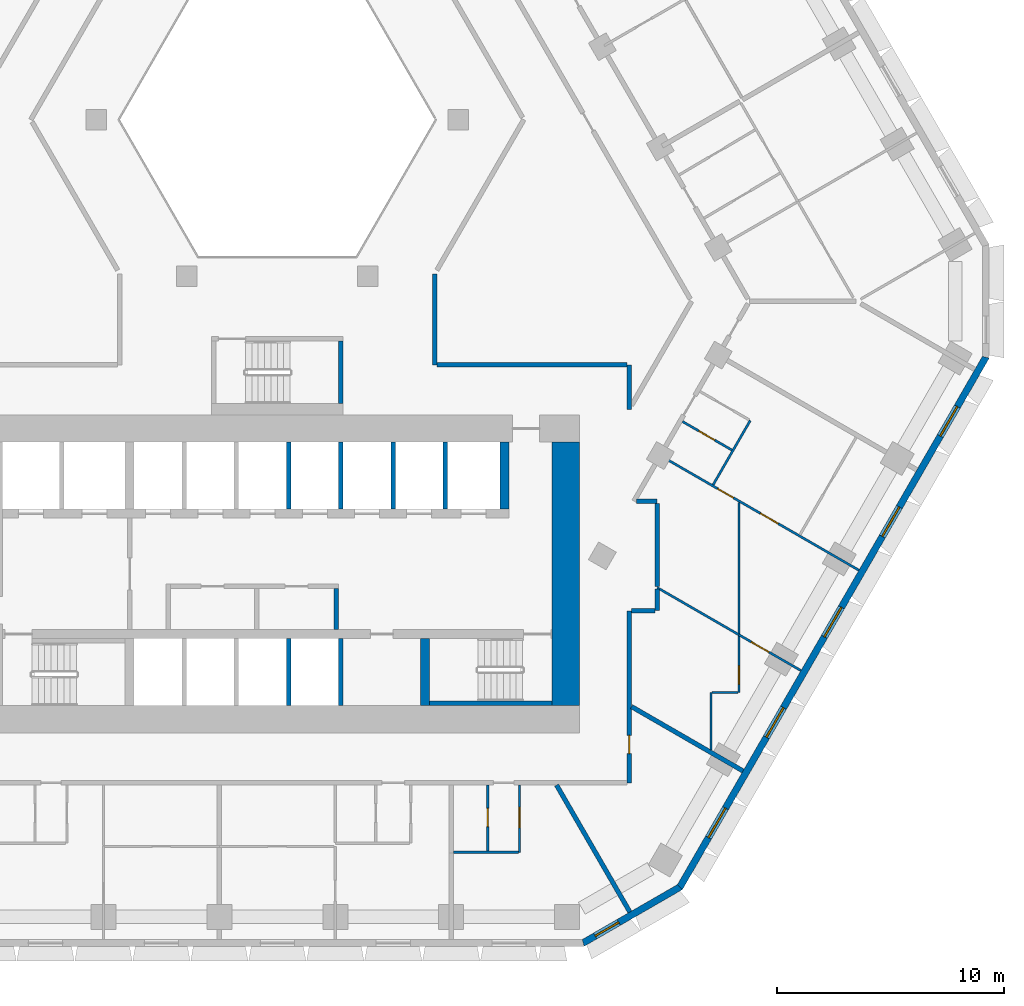
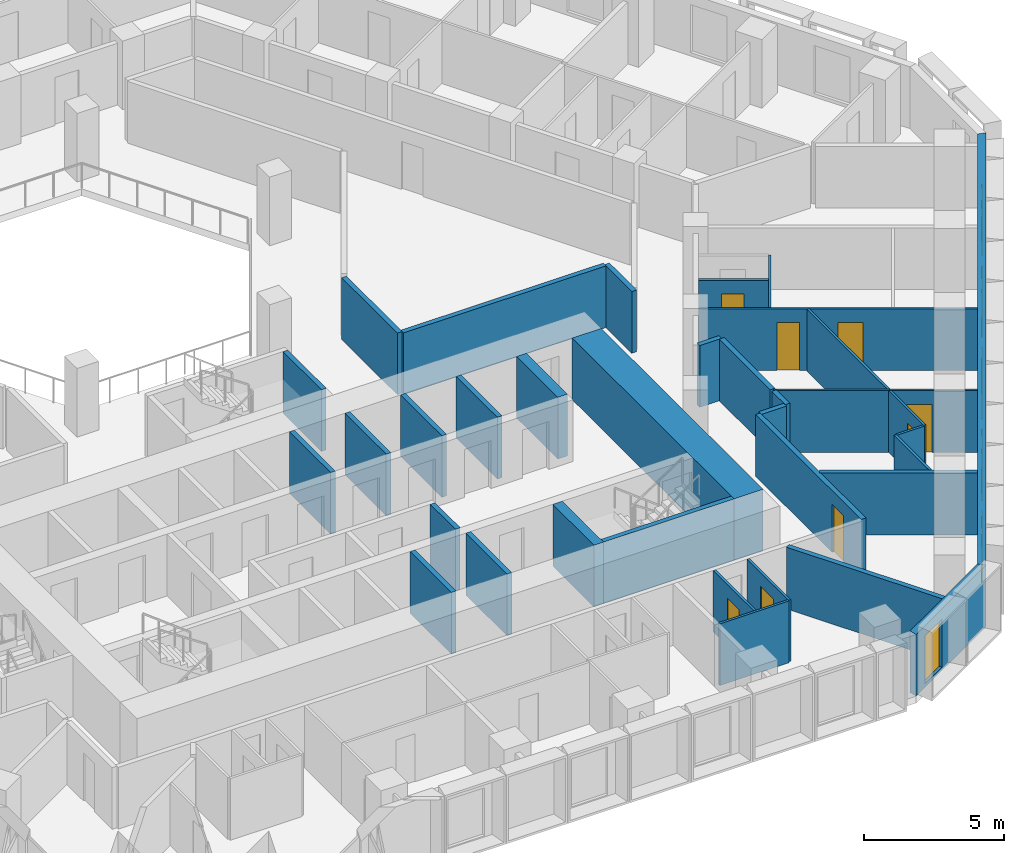
# One storey, part 6 of 16: 35 walls, 8 doors, 6 windows, 14 openings.
"""IFC4 building model written with IfcOpenShell, lengths in metres."""

from ifc_helpers import new_model, si_unit, direction, frame, frame_2d, origin, place, context, subcontext, project, spatial, polyline, rectangle, outline, extrude, material, layer, layer_set, type_object, element, fill, save


model = new_model("IFC4")

# Units and contexts
model_context = context("Model", 3, precision=1e-05, world=origin(), true_north=direction((0.0, 1.0)))
body_context = subcontext(model_context, "Body", "Model", "MODEL_VIEW")
ifc_project = project(units=[si_unit("LENGTHUNIT", "METRE"), si_unit("AREAUNIT", "SQUARE_METRE"), si_unit("VOLUMEUNIT", "CUBIC_METRE"), si_unit("PLANEANGLEUNIT", "RADIAN"), si_unit("MASSUNIT", "GRAM", prefix="KILO")], contexts=[model_context])

# Site, building, storey
site_placement = place(None, origin())
site = spatial("IfcSite", under=ifc_project, at=site_placement, CompositionType="ELEMENT")
building_placement = place(site_placement, origin())
building = spatial("IfcBuilding", under=site, at=building_placement, Name="Beryl Residences", CompositionType="ELEMENT")
storey_placement = place(building_placement, frame((0.0, 0.0, 44.39990234375)))
storey = spatial("IfcBuildingStorey", under=building, at=storey_placement, Name="L13", CompositionType="ELEMENT", Elevation=44.39990234375)

# Wall, opening, window
ifc_material_1 = material(Name="Composite metal panel with mineral wool insulation")
ifc_layer_1 = layer(ifc_material_1, 0.300048828125)
ifc_layer_set_1 = layer_set([ifc_layer_1], Name="ES1 pale metal composite panel wall 300 mm")
wall_type_1 = type_object("IfcWallType", Name="ES1 pale metal composite panel wall 300 mm", PredefinedType="SOLIDWALL", material=ifc_layer_set_1)
wall_1_placement = place(storey_placement, frame((13.43505859375, -28.27001953125, 0.0), z_axis=(0.0, 0.0, 1.0), x_axis=(0.866010750942, 0.50002537861, 0.0)))
wall_1 = element("IfcWall", 1, at=wall_1_placement, inside=storey, type_object=wall_type_1, Name="ES1 external wall L13 S-SE", PredefinedType="SOLIDWALL", context=body_context, shape_type="SweptSolid", body=[
    extrude(outline(polyline([(0.0, -0.14990234375), (4.999755859375, -0.14990234375), (4.91943359375, 0.14990234375), (0.080322265625, 0.14990234375), (0.0, -0.14990234375)])), origin(), (0.0, 0.0, 1.0), 2.7001953125),
])
opening_1_placement = place(wall_1_placement, frame((0.64990234375, 0.0, 0.14990234375)))
opening_1 = element("IfcOpeningElement", 2, at=opening_1_placement, cuts=wall_1, Name="Opening W2", PredefinedType="OPENING", context=body_context, shape_type="SweptSolid", body=[
    extrude(rectangle(XDim=1.199951171875, YDim=2.10009765625, at=frame_2d((0.60009765625, 1.050048828125))), frame((0.0, 0.159912109375, 0.0), z_axis=(0.0, -1.0, 0.0), x_axis=(1.0, 0.0, 0.0)), (0.0, 0.0, 1.0), 0.320068359375),
])
ifc_material_2 = material(Name="Aluminium and clear glass", Category="aluminium")
window_type_1 = type_object("IfcWindowType", Name="W2 chamfer window 1200 x 2100 mm", PartitioningType="SINGLE_PANEL", PredefinedType="WINDOW", material=ifc_material_2)
window_1_placement = place(opening_1_placement, origin())
window_1 = element("IfcWindow", 3, at=window_1_placement, inside=storey, type_object=window_type_1, Name="W2 window L13 S-SE 1", OverallHeight=2.10009765625, OverallWidth=1.199951171875, PartitioningType="SINGLE_PANEL", PredefinedType="WINDOW", context=body_context, shape_type="SweptSolid", body=[
    extrude(rectangle(XDim=1.199951171875, YDim=2.10009765625, at=frame_2d((0.60009765625, 1.050048828125))), frame((0.0, 0.030029296875, 0.0), z_axis=(0.0, -1.0, 0.0), x_axis=(1.0, 0.0, 0.0)), (0.0, 0.0, 1.0), 0.06005859375),
])
fill(opening_1, window_1)

# Wall, openings, windows
wall_2_placement = place(storey_placement, frame((17.7099609375, -25.824951171875, 0.0), z_axis=(0.0, 0.0, 1.0), x_axis=(0.500001938803, 0.866024284413, 0.0)))
wall_2 = element("IfcWall", 4, at=wall_2_placement, inside=storey, type_object=wall_type_1, Name="ES1 external wall L13 SE", PredefinedType="SOLIDWALL", context=body_context, shape_type="SweptSolid", body=[
    extrude(outline(polyline([(0.0, -0.14990234375), (27.02001953125, -0.14990234375), (26.939697265625, 0.14990234375), (0.080322265625, 0.14990234375), (0.0, -0.14990234375)])), origin(), (0.0, 0.0, 1.0), 2.7001953125),
])
opening_2_placement = place(wall_2_placement, frame((2.552978515625, 0.0, 0.14990234375)))
opening_2 = element("IfcOpeningElement", 5, at=opening_2_placement, cuts=wall_2, Name="Opening W1", PredefinedType="OPENING", context=body_context, shape_type="SweptSolid", body=[
    extrude(rectangle(XDim=1.5, YDim=2.10009765625, at=frame_2d((0.75, 1.050048828125))), frame((0.0, 0.159912109375, 0.0), z_axis=(0.0, -1.0, 0.0), x_axis=(1.0, 0.0, 0.0)), (0.0, 0.0, 1.0), 0.320068359375),
])
opening_3_placement = place(wall_2_placement, frame((7.657958984375, 0.0, 0.14990234375)))
opening_3 = element("IfcOpeningElement", 6, at=opening_3_placement, cuts=wall_2, Name="Opening W1", PredefinedType="OPENING", context=body_context, shape_type="SweptSolid", body=[
    extrude(rectangle(XDim=1.5, YDim=2.10009765625, at=frame_2d((0.75, 1.050048828125))), frame((0.0, 0.159912109375, 0.0), z_axis=(0.0, -1.0, 0.0), x_axis=(1.0, 0.0, 0.0)), (0.0, 0.0, 1.0), 0.320068359375),
])
opening_4_placement = place(wall_2_placement, frame((12.760986328125, 0.0, 0.14990234375)))
opening_4 = element("IfcOpeningElement", 7, at=opening_4_placement, cuts=wall_2, Name="Opening W1", PredefinedType="OPENING", context=body_context, shape_type="SweptSolid", body=[
    extrude(rectangle(XDim=1.5, YDim=2.10009765625, at=frame_2d((0.75, 1.050048828125))), frame((0.0, 0.159912109375, 0.0), z_axis=(0.0, -1.0, 0.0), x_axis=(1.0, 0.0, 0.0)), (0.0, 0.0, 1.0), 0.320068359375),
])
opening_5_placement = place(wall_2_placement, frame((17.864990234375, 0.0, 0.14990234375)))
opening_5 = element("IfcOpeningElement", 8, at=opening_5_placement, cuts=wall_2, Name="Opening W1", PredefinedType="OPENING", context=body_context, shape_type="SweptSolid", body=[
    extrude(rectangle(XDim=1.5, YDim=2.10009765625, at=frame_2d((0.75, 1.050048828125))), frame((0.0, 0.159912109375, 0.0), z_axis=(0.0, -1.0, 0.0), x_axis=(1.0, 0.0, 0.0)), (0.0, 0.0, 1.0), 0.320068359375),
])
opening_6_placement = place(wall_2_placement, frame((22.968994140625, 0.0, 0.14990234375)))
opening_6 = element("IfcOpeningElement", 9, at=opening_6_placement, cuts=wall_2, Name="Opening W1", PredefinedType="OPENING", context=body_context, shape_type="SweptSolid", body=[
    extrude(rectangle(XDim=1.5, YDim=2.10009765625, at=frame_2d((0.75, 1.050048828125))), frame((0.0, 0.159912109375, 0.0), z_axis=(0.0, -1.0, 0.0), x_axis=(1.0, 0.0, 0.0)), (0.0, 0.0, 1.0), 0.320068359375),
])
ifc_material_3 = material(Name="Aluminium and clear glass", Category="aluminium")
window_type_2 = type_object("IfcWindowType", Name="W1 cell window 1500 x 2100 mm", PartitioningType="SINGLE_PANEL", PredefinedType="WINDOW", material=ifc_material_3)
window_2_placement = place(opening_2_placement, origin())
window_2 = element("IfcWindow", 10, at=window_2_placement, inside=storey, type_object=window_type_2, Name="W1 window L13 SE 2", OverallHeight=2.10009765625, OverallWidth=1.5, PartitioningType="SINGLE_PANEL", PredefinedType="WINDOW", context=body_context, shape_type="SweptSolid", body=[
    extrude(rectangle(XDim=1.5, YDim=2.10009765625, at=frame_2d((0.75, 1.050048828125))), frame((0.0, 0.030029296875, 0.0), z_axis=(0.0, -1.0, 0.0), x_axis=(1.0, 0.0, 0.0)), (0.0, 0.0, 1.0), 0.06005859375),
])
fill(opening_2, window_2)
window_3_placement = place(opening_3_placement, origin())
window_3 = element("IfcWindow", 11, at=window_3_placement, inside=storey, type_object=window_type_2, Name="W1 window L13 SE 4", OverallHeight=2.10009765625, OverallWidth=1.5, PartitioningType="SINGLE_PANEL", PredefinedType="WINDOW", context=body_context, shape_type="SweptSolid", body=[
    extrude(rectangle(XDim=1.5, YDim=2.10009765625, at=frame_2d((0.75, 1.050048828125))), frame((0.0, 0.030029296875, 0.0), z_axis=(0.0, -1.0, 0.0), x_axis=(1.0, 0.0, 0.0)), (0.0, 0.0, 1.0), 0.06005859375),
])
fill(opening_3, window_3)
window_4_placement = place(opening_4_placement, origin())
window_4 = element("IfcWindow", 12, at=window_4_placement, inside=storey, type_object=window_type_2, Name="W1 window L13 SE 6", OverallHeight=2.10009765625, OverallWidth=1.5, PartitioningType="SINGLE_PANEL", PredefinedType="WINDOW", context=body_context, shape_type="SweptSolid", body=[
    extrude(rectangle(XDim=1.5, YDim=2.10009765625, at=frame_2d((0.75, 1.050048828125))), frame((0.0, 0.030029296875, 0.0), z_axis=(0.0, -1.0, 0.0), x_axis=(1.0, 0.0, 0.0)), (0.0, 0.0, 1.0), 0.06005859375),
])
fill(opening_4, window_4)
window_5_placement = place(opening_5_placement, origin())
window_5 = element("IfcWindow", 13, at=window_5_placement, inside=storey, type_object=window_type_2, Name="W1 window L13 SE 8", OverallHeight=2.10009765625, OverallWidth=1.5, PartitioningType="SINGLE_PANEL", PredefinedType="WINDOW", context=body_context, shape_type="SweptSolid", body=[
    extrude(rectangle(XDim=1.5, YDim=2.10009765625, at=frame_2d((0.75, 1.050048828125))), frame((0.0, 0.030029296875, 0.0), z_axis=(0.0, -1.0, 0.0), x_axis=(1.0, 0.0, 0.0)), (0.0, 0.0, 1.0), 0.06005859375),
])
fill(opening_5, window_5)
window_6_placement = place(opening_6_placement, origin())
window_6 = element("IfcWindow", 14, at=window_6_placement, inside=storey, type_object=window_type_2, Name="W1 window L13 SE 10", OverallHeight=2.10009765625, OverallWidth=1.5, PartitioningType="SINGLE_PANEL", PredefinedType="WINDOW", context=body_context, shape_type="SweptSolid", body=[
    extrude(rectangle(XDim=1.5, YDim=2.10009765625, at=frame_2d((0.75, 1.050048828125))), frame((0.0, 0.030029296875, 0.0), z_axis=(0.0, -1.0, 0.0), x_axis=(1.0, 0.0, 0.0)), (0.0, 0.0, 1.0), 0.06005859375),
])
fill(opening_6, window_6)

# Wall
ifc_material_4 = material(Name="Gypsum board partition on steel studs", Category="steel")
ifc_layer_2 = layer(ifc_material_4, 0.10009765625)
ifc_layer_set_2 = layer_set([ifc_layer_2], Name="PT1 partition 100 mm gypsum board on steel studs")
wall_type_2 = type_object("IfcWallType", Name="PT1 partition 100 mm gypsum board on steel studs", PredefinedType="PARTITIONING", material=ifc_layer_set_2)
wall_3_placement = place(storey_placement, frame((16.72802734375, -12.60302734375, 0.0), z_axis=(0.0, 0.0, 1.0), x_axis=(0.865975293465, -0.500086783578, 0.0)))
element("IfcWall", 15, at=wall_3_placement, inside=storey, type_object=wall_type_2, Name="Wall PT1 L13 016", PredefinedType="PARTITIONING", context=body_context, shape_type="SweptSolid", body=[
    extrude(rectangle(XDim=4.156982421875, YDim=0.10009765625, at=frame_2d((2.07861328125, 0.0))), origin(), (0.0, 0.0, 1.0), 2.7001953125),
])

# Wall, opening, door
wall_4_placement = place(storey_placement, frame((17.843994140625, -5.2919921875, 0.0), z_axis=(0.0, 0.0, 1.0), x_axis=(0.866038211682, -0.499977815414, 0.0)))
wall_4 = element("IfcWall", 16, at=wall_4_placement, inside=storey, type_object=wall_type_2, Name="Wall PT1 L13 018", PredefinedType="PARTITIONING", context=body_context, shape_type="SweptSolid", body=[
    extrude(rectangle(XDim=2.51025390625, YDim=0.10009765625, at=frame_2d((1.255126953125, 0.0))), origin(), (0.0, 0.0, 1.0), 2.7001953125),
])
opening_7_placement = place(wall_4_placement, frame((0.830078125, 0.0, 0.0)))
opening_7 = element("IfcOpeningElement", 17, at=opening_7_placement, cuts=wall_4, Name="Opening D0538", PredefinedType="OPENING", context=body_context, shape_type="SweptSolid", body=[
    extrude(rectangle(XDim=0.800048828125, YDim=2.10009765625, at=frame_2d((0.39990234375, 1.050048828125))), frame((0.0, 0.06005859375, 0.0), z_axis=(0.0, -1.0, 0.0), x_axis=(1.0, 0.0, 0.0)), (0.0, 0.0, 1.0), 0.1201171875),
])
ifc_material_5 = material(Name="Timber door leaf", Category="wood")
door_type_1 = type_object("IfcDoorType", Name="D3 bathroom door 800 x 2100 mm", OperationType="SINGLE_SWING_LEFT", PredefinedType="DOOR", material=ifc_material_5)
door_1_placement = place(opening_7_placement, origin())
door_1 = element("IfcDoor", 18, at=door_1_placement, inside=storey, type_object=door_type_1, Name="Door D0538 L13 001", OperationType="SINGLE_SWING_RIGHT", OverallHeight=2.10009765625, OverallWidth=0.800048828125, PredefinedType="DOOR", context=body_context, shape_type="SweptSolid", body=[
    extrude(rectangle(XDim=0.800048828125, YDim=2.10009765625, at=frame_2d((0.39990234375, 1.050048828125))), frame((0.0, 0.02490234375, 0.0), z_axis=(0.0, -1.0, 0.0), x_axis=(1.0, 0.0, 0.0)), (0.0, 0.0, 1.0), 0.050048828125),
])
fill(opening_7, door_1)

# Wall, openings, doors
wall_5_placement = place(storey_placement, frame((16.950927734375, -6.839111328125, 0.0), z_axis=(0.0, 0.0, 1.0), x_axis=(0.866022959057, -0.500004234368, 0.0)))
wall_5 = element("IfcWall", 19, at=wall_5_placement, inside=storey, type_object=wall_type_2, Name="Wall PT1 L13 024", PredefinedType="PARTITIONING", context=body_context, shape_type="SweptSolid", body=[
    extrude(rectangle(XDim=10.0, YDim=0.10009765625, at=frame_2d((5.0, 0.0))), origin(), (0.0, 0.0, 1.0), 2.7001953125),
])
opening_8_placement = place(wall_5_placement, frame((4.9951171875, 0.0, 0.0)))
opening_8 = element("IfcOpeningElement", 20, at=opening_8_placement, cuts=wall_5, Name="Opening D0540", PredefinedType="OPENING", context=body_context, shape_type="SweptSolid", body=[
    extrude(rectangle(XDim=0.89990234375, YDim=2.10009765625, at=frame_2d((0.449951171875, 1.050048828125))), frame((0.0, 0.06005859375, 0.0), z_axis=(0.0, -1.0, 0.0), x_axis=(1.0, 0.0, 0.0)), (0.0, 0.0, 1.0), 0.1201171875),
])
opening_9_placement = place(wall_5_placement, frame((2.820068359375, 0.0, 0.0)))
opening_9 = element("IfcOpeningElement", 21, at=opening_9_placement, cuts=wall_5, Name="Opening D0541", PredefinedType="OPENING", context=body_context, shape_type="SweptSolid", body=[
    extrude(rectangle(XDim=0.800048828125, YDim=2.10009765625, at=frame_2d((0.39990234375, 1.050048828125))), frame((0.0, 0.06005859375, 0.0), z_axis=(0.0, -1.0, 0.0), x_axis=(1.0, 0.0, 0.0)), (0.0, 0.0, 1.0), 0.1201171875),
])
ifc_material_6 = material(Name="Timber door leaf", Category="wood")
door_type_2 = type_object("IfcDoorType", Name="D2 room door 900 x 2100 mm", OperationType="SINGLE_SWING_LEFT", PredefinedType="DOOR", material=ifc_material_6)
door_2_placement = place(opening_8_placement, origin())
door_2 = element("IfcDoor", 22, at=door_2_placement, inside=storey, type_object=door_type_2, Name="Door D0540 L13 001", OperationType="SINGLE_SWING_RIGHT", OverallHeight=2.10009765625, OverallWidth=0.89990234375, PredefinedType="DOOR", context=body_context, shape_type="SweptSolid", body=[
    extrude(rectangle(XDim=0.89990234375, YDim=2.10009765625, at=frame_2d((0.449951171875, 1.050048828125))), frame((0.0, 0.02490234375, 0.0), z_axis=(0.0, -1.0, 0.0), x_axis=(1.0, 0.0, 0.0)), (0.0, 0.0, 1.0), 0.050048828125),
])
fill(opening_8, door_2)
door_3_placement = place(opening_9_placement, origin())
door_3 = element("IfcDoor", 23, at=door_3_placement, inside=storey, type_object=door_type_1, Name="Door D0541 L13 001", OperationType="SINGLE_SWING_LEFT", OverallHeight=2.10009765625, OverallWidth=0.800048828125, PredefinedType="DOOR", context=body_context, shape_type="SweptSolid", body=[
    extrude(rectangle(XDim=0.800048828125, YDim=2.10009765625, at=frame_2d((0.39990234375, 1.050048828125))), frame((0.0, 0.02490234375, 0.0), z_axis=(0.0, -1.0, 0.0), x_axis=(1.0, 0.0, 0.0)), (0.0, 0.0, 1.0), 0.050048828125),
])
fill(opening_9, door_3)

# Walls
wall_6_placement = place(storey_placement, frame((19.14990234375, -17.22412109375, 0.0), z_axis=(0.0, 0.0, 1.0), x_axis=(1.0, 0.0, 0.0)))
element("IfcWall", 24, at=wall_6_placement, inside=storey, type_object=wall_type_2, Name="Wall PT1 L13 027", PredefinedType="PARTITIONING", context=body_context, shape_type="SweptSolid", body=[
    extrude(rectangle(XDim=1.127197265625, YDim=0.10009765625, at=frame_2d((0.5634765625, 0.0))), origin(), (0.0, 0.0, 1.0), 2.7001953125),
])
wall_7_placement = place(storey_placement, frame((7.757080078125, -24.260009765625, 0.0), z_axis=(0.0, 0.0, 1.0), x_axis=(1.0, 0.0, 0.0)))
element("IfcWall", 25, at=wall_7_placement, inside=storey, type_object=wall_type_2, Name="Wall PT1 L13 031", PredefinedType="PARTITIONING", context=body_context, shape_type="SweptSolid", body=[
    extrude(rectangle(XDim=2.85791015625, YDim=0.10009765625, at=frame_2d((1.428955078125, 0.0))), origin(), (0.0, 0.0, 1.0), 2.7001953125),
])
wall_8_placement = place(storey_placement, frame((19.193115234375, -8.075927734375, 0.0), z_axis=(0.0, 0.0, 1.0), x_axis=(0.499901468276, 0.866082283629, 0.0)))
element("IfcWall", 26, at=wall_8_placement, inside=storey, type_object=wall_type_2, Name="Wall PT1 L13 036", PredefinedType="PARTITIONING", context=body_context, shape_type="SweptSolid", body=[
    extrude(rectangle(XDim=3.266357421875, YDim=0.10009765625, at=frame_2d((1.63330078125, 0.0))), origin(), (0.0, 0.0, 1.0), 2.7001953125),
])

# Wall, opening, door
wall_9_placement = place(storey_placement, frame((9.26611328125, -24.2099609375, 0.0), z_axis=(0.0, 0.0, 1.0), x_axis=(0.0, 1.0, 0.0)))
wall_9 = element("IfcWall", 27, at=wall_9_placement, inside=storey, type_object=wall_type_2, Name="Wall PT1 L13 044", PredefinedType="PARTITIONING", context=body_context, shape_type="SweptSolid", body=[
    extrude(rectangle(XDim=2.909912109375, YDim=0.10009765625, at=frame_2d((1.455078125, 0.0))), origin(), (0.0, 0.0, 1.0), 2.7001953125),
])
opening_10_placement = place(wall_9_placement, frame((1.080078125, 0.0, 0.0)))
opening_10 = element("IfcOpeningElement", 28, at=opening_10_placement, cuts=wall_9, Name="Opening D0534", PredefinedType="OPENING", context=body_context, shape_type="SweptSolid", body=[
    extrude(rectangle(XDim=0.800048828125, YDim=2.10009765625, at=frame_2d((0.39990234375, 1.050048828125))), frame((0.0, 0.06005859375, 0.0), z_axis=(0.0, -1.0, 0.0), x_axis=(1.0, 0.0, 0.0)), (0.0, 0.0, 1.0), 0.1201171875),
])
door_4_placement = place(opening_10_placement, origin())
door_4 = element("IfcDoor", 29, at=door_4_placement, inside=storey, type_object=door_type_1, Name="Door D0534 L13 001", OperationType="SINGLE_SWING_RIGHT", OverallHeight=2.10009765625, OverallWidth=0.800048828125, PredefinedType="DOOR", context=body_context, shape_type="SweptSolid", body=[
    extrude(rectangle(XDim=0.800048828125, YDim=2.10009765625, at=frame_2d((0.39990234375, 1.050048828125))), frame((0.0, 0.02490234375, 0.0), z_axis=(0.0, -1.0, 0.0), x_axis=(1.0, 0.0, 0.0)), (0.0, 0.0, 1.0), 0.050048828125),
])
fill(opening_10, door_4)

wall_10_placement = place(storey_placement, frame((10.666015625, -24.259033203125, 0.0), z_axis=(0.0, 0.0, 1.0), x_axis=(0.0, 1.0, 0.0)))
wall_10 = element("IfcWall", 30, at=wall_10_placement, inside=storey, type_object=wall_type_2, Name="Wall PT1 L13 045", PredefinedType="PARTITIONING", context=body_context, shape_type="SweptSolid", body=[
    extrude(rectangle(XDim=2.958984375, YDim=0.10009765625, at=frame_2d((1.4794921875, 0.0))), origin(), (0.0, 0.0, 1.0), 2.7001953125),
])
opening_11_placement = place(wall_10_placement, frame((1.0791015625, 0.0, 0.0)))
opening_11 = element("IfcOpeningElement", 31, at=opening_11_placement, cuts=wall_10, Name="Opening D0533", PredefinedType="OPENING", context=body_context, shape_type="SweptSolid", body=[
    extrude(rectangle(XDim=0.89990234375, YDim=2.10009765625, at=frame_2d((0.449951171875, 1.050048828125))), frame((0.0, 0.06005859375, 0.0), z_axis=(0.0, -1.0, 0.0), x_axis=(1.0, 0.0, 0.0)), (0.0, 0.0, 1.0), 0.1201171875),
])
door_5_placement = place(opening_11_placement, origin())
door_5 = element("IfcDoor", 32, at=door_5_placement, inside=storey, type_object=door_type_2, Name="Door D0533 L13 001", OperationType="SINGLE_SWING_LEFT", OverallHeight=2.10009765625, OverallWidth=0.89990234375, PredefinedType="DOOR", context=body_context, shape_type="SweptSolid", body=[
    extrude(rectangle(XDim=0.89990234375, YDim=2.10009765625, at=frame_2d((0.449951171875, 1.050048828125))), frame((0.0, 0.02490234375, 0.0), z_axis=(0.0, -1.0, 0.0), x_axis=(1.0, 0.0, 0.0)), (0.0, 0.0, 1.0), 0.050048828125),
])
fill(opening_11, door_5)

# Wall
wall_11_placement = place(storey_placement, frame((19.10009765625, -19.7509765625, 0.0), z_axis=(0.0, 0.0, 1.0), x_axis=(0.0, 1.0, 0.0)))
element("IfcWall", 33, at=wall_11_placement, inside=storey, type_object=wall_type_2, Name="Wall PT1 L13 046", PredefinedType="PARTITIONING", context=body_context, shape_type="SweptSolid", body=[
    extrude(rectangle(XDim=2.52685546875, YDim=0.10009765625, at=frame_2d((1.263427734375, 0.0))), origin(), (0.0, 0.0, 1.0), 2.7001953125),
])

# Wall, opening, door
wall_12_placement = place(storey_placement, frame((20.327880859375, -17.222900390625, 0.0), z_axis=(0.0, 0.0, 1.0), x_axis=(0.0, 1.0, 0.0)))
wall_12 = element("IfcWall", 34, at=wall_12_placement, inside=storey, type_object=wall_type_2, Name="Wall PT1 L13 047", PredefinedType="PARTITIONING", context=body_context, shape_type="SweptSolid", body=[
    extrude(rectangle(XDim=8.3759765625, YDim=0.10009765625, at=frame_2d((4.18798828125, 0.0))), origin(), (0.0, 0.0, 1.0), 2.7001953125),
])
opening_12_placement = place(wall_12_placement, frame((0.3701171875, 0.0, 0.0)))
opening_12 = element("IfcOpeningElement", 35, at=opening_12_placement, cuts=wall_12, Name="Opening D0543", PredefinedType="OPENING", context=body_context, shape_type="SweptSolid", body=[
    extrude(rectangle(XDim=0.800048828125, YDim=2.10009765625, at=frame_2d((0.39990234375, 1.050048828125))), frame((0.0, 0.06005859375, 0.0), z_axis=(0.0, -1.0, 0.0), x_axis=(1.0, 0.0, 0.0)), (0.0, 0.0, 1.0), 0.1201171875),
])
door_6_placement = place(opening_12_placement, origin())
door_6 = element("IfcDoor", 36, at=door_6_placement, inside=storey, type_object=door_type_1, Name="Door D0543 L13 001", OperationType="SINGLE_SWING_LEFT", OverallHeight=2.10009765625, OverallWidth=0.800048828125, PredefinedType="DOOR", context=body_context, shape_type="SweptSolid", body=[
    extrude(rectangle(XDim=0.800048828125, YDim=2.10009765625, at=frame_2d((0.39990234375, 1.050048828125))), frame((0.0, 0.02490234375, 0.0), z_axis=(0.0, -1.0, 0.0), x_axis=(1.0, 0.0, 0.0)), (0.0, 0.0, 1.0), 0.050048828125),
])
fill(opening_12, door_6)

wall_13_placement = place(storey_placement, frame((20.327880859375, -14.681884765625, 0.0), z_axis=(0.0, 0.0, 1.0), x_axis=(0.866063163075, -0.499934593286, 0.0)))
wall_13 = element("IfcWall", 37, at=wall_13_placement, inside=storey, type_object=wall_type_2, Name="Wall PT1 L13 072", PredefinedType="PARTITIONING", context=body_context, shape_type="SweptSolid", body=[
    extrude(rectangle(XDim=3.15478515625, YDim=0.10009765625, at=frame_2d((1.577392578125, 0.0))), origin(), (0.0, 0.0, 1.0), 2.7001953125),
])
opening_13_placement = place(wall_13_placement, frame((0.626953125, 0.0, 0.0)))
opening_13 = element("IfcOpeningElement", 38, at=opening_13_placement, cuts=wall_13, Name="Opening D0542", PredefinedType="OPENING", context=body_context, shape_type="SweptSolid", body=[
    extrude(rectangle(XDim=0.89990234375, YDim=2.10009765625, at=frame_2d((0.449951171875, 1.050048828125))), frame((0.0, 0.06005859375, 0.0), z_axis=(0.0, -1.0, 0.0), x_axis=(1.0, 0.0, 0.0)), (0.0, 0.0, 1.0), 0.1201171875),
])
door_7_placement = place(opening_13_placement, origin())
door_7 = element("IfcDoor", 39, at=door_7_placement, inside=storey, type_object=door_type_2, Name="Door D0542 L13 001", OperationType="SINGLE_SWING_RIGHT", OverallHeight=2.10009765625, OverallWidth=0.89990234375, PredefinedType="DOOR", context=body_context, shape_type="SweptSolid", body=[
    extrude(rectangle(XDim=0.89990234375, YDim=2.10009765625, at=frame_2d((0.449951171875, 1.050048828125))), frame((0.0, 0.02490234375, 0.0), z_axis=(0.0, -1.0, 0.0), x_axis=(1.0, 0.0, 0.0)), (0.0, 0.0, 1.0), 0.050048828125),
])
fill(opening_13, door_7)

# Walls
ifc_material_7 = material(Name="Concrete masonry", Category="masonry")
ifc_layer_3 = layer(ifc_material_7, 0.199951171875)
ifc_layer_set_3 = layer_set([ifc_layer_3], Name="PT13 lobby wall 200 mm")
wall_type_3 = type_object("IfcWallType", Name="PT13 lobby wall 200 mm", PredefinedType="PARTITIONING", material=ifc_layer_set_3)
wall_14_placement = place(storey_placement, frame((2.60009765625, -14.449951171875, 0.0), z_axis=(0.0, 0.0, 1.0), x_axis=(0.0, 1.0, 0.0)))
element("IfcWall", 40, at=wall_14_placement, inside=storey, type_object=wall_type_3, Name="Lobby wall 16", PredefinedType="PARTITIONING", context=body_context, shape_type="SweptSolid", body=[
    extrude(rectangle(XDim=1.800048828125, YDim=0.199951171875, at=frame_2d((0.89990234375, 0.0))), origin(), (0.0, 0.0, 1.0), 2.7001953125),
])
ifc_material_8 = material(Name="Acoustic double stud gypsum board wall")
ifc_layer_4 = layer(ifc_material_8, 0.199951171875)
ifc_layer_set_4 = layer_set([ifc_layer_4], Name="PT3 party wall 200 mm acoustic double stud")
wall_type_4 = type_object("IfcWallType", Name="PT3 party wall 200 mm acoustic double stud", PredefinedType="PARTITIONING", material=ifc_layer_set_4)
wall_15_placement = place(storey_placement, frame((12.297119140625, -21.300048828125, 0.0), z_axis=(0.0, 0.0, 1.0), x_axis=(0.500056399578, -0.865992839024, 0.0)))
element("IfcWall", 41, at=wall_15_placement, inside=storey, type_object=wall_type_4, Name="Wall PT3 L13 002", PredefinedType="PARTITIONING", context=body_context, shape_type="SweptSolid", body=[
    extrude(rectangle(XDim=6.454833984375, YDim=0.199951171875, at=frame_2d((3.2275390625, 0.0))), origin(), (0.0, 0.0, 1.0), 2.7001953125),
])
wall_16_placement = place(storey_placement, frame((15.60009765625, -17.845947265625, 0.0), z_axis=(0.0, 0.0, 1.0), x_axis=(0.866071523686, -0.499920109479, 0.0)))
element("IfcWall", 42, at=wall_16_placement, inside=storey, type_object=wall_type_4, Name="Wall PT3 L13 004", PredefinedType="PARTITIONING", context=body_context, shape_type="SweptSolid", body=[
    extrude(rectangle(XDim=5.6669921875, YDim=0.199951171875, at=frame_2d((2.83349609375, 0.0))), origin(), (0.0, 0.0, 1.0), 2.7001953125),
])
ifc_material_9 = material(Name="Double stud gypsum board wall")
ifc_layer_5 = layer(ifc_material_9, 0.199951171875)
ifc_layer_set_5 = layer_set([ifc_layer_5], Name="PT4 corridor wall 200 mm double stud")
wall_type_5 = type_object("IfcWallType", Name="PT4 corridor wall 200 mm double stud", PredefinedType="PARTITIONING", material=ifc_layer_set_5)
wall_17_placement = place(storey_placement, frame((16.72802734375, -8.89501953125, 0.0), z_axis=(0.0, 0.0, 1.0), x_axis=(0.0, -1.0, 0.0)))
element("IfcWall", 43, at=wall_17_placement, inside=storey, type_object=wall_type_5, Name="Wall PT4 L13 009", PredefinedType="PARTITIONING", context=body_context, shape_type="SweptSolid", body=[
    extrude(rectangle(XDim=3.64990234375, YDim=0.199951171875, at=frame_2d((1.824951171875, 0.0))), origin(), (0.0, 0.0, 1.0), 2.7001953125),
])
wall_18_placement = place(storey_placement, frame((15.822021484375, -8.7939453125, 0.0), z_axis=(0.0, 0.0, 1.0), x_axis=(1.0, 0.0, 0.0)))
element("IfcWall", 44, at=wall_18_placement, inside=storey, type_object=wall_type_5, Name="Wall PT4 L13 011", PredefinedType="PARTITIONING", context=body_context, shape_type="SweptSolid", body=[
    extrude(rectangle(XDim=0.905029296875, YDim=0.199951171875, at=frame_2d((0.45263671875, 0.0))), origin(), (0.0, 0.0, 1.0), 2.7001953125),
])
wall_19_placement = place(storey_placement, frame((15.60009765625, -13.6240234375, 0.0), z_axis=(0.0, 0.0, 1.0), x_axis=(1.0, 0.0, 0.0)))
element("IfcWall", 45, at=wall_19_placement, inside=storey, type_object=wall_type_5, Name="Wall PT4 L13 012", PredefinedType="PARTITIONING", context=body_context, shape_type="SweptSolid", body=[
    extrude(rectangle(XDim=1.02685546875, YDim=0.199951171875, at=frame_2d((0.513427734375, 0.0))), origin(), (0.0, 0.0, 1.0), 2.7001953125),
])
wall_20_placement = place(storey_placement, frame((7.028076171875, -2.800048828125, 0.0), z_axis=(0.0, 0.0, 1.0), x_axis=(1.0, 0.0, 0.0)))
element("IfcWall", 46, at=wall_20_placement, inside=storey, type_object=wall_type_5, Name="Wall PT4 L13 016", PredefinedType="PARTITIONING", context=body_context, shape_type="SweptSolid", body=[
    extrude(rectangle(XDim=8.371826171875, YDim=0.199951171875, at=frame_2d((4.18603515625, 0.0))), origin(), (0.0, 0.0, 1.0), 2.7001953125),
])
wall_21_placement = place(storey_placement, frame((6.927978515625, -2.800048828125, 0.0), z_axis=(0.0, 0.0, 1.0), x_axis=(0.0, 1.0, 0.0)))
element("IfcWall", 47, at=wall_21_placement, inside=storey, type_object=wall_type_5, Name="Wall PT4 L13 026", PredefinedType="PARTITIONING", context=body_context, shape_type="SweptSolid", body=[
    extrude(rectangle(XDim=4.0, YDim=0.199951171875, at=frame_2d((2.0, 0.0))), origin(), (0.0, 0.0, 1.0), 2.7001953125),
])

# Wall, opening, door
wall_22_placement = place(storey_placement, frame((15.5, -21.198974609375, 0.0), z_axis=(0.0, 0.0, 1.0), x_axis=(0.0, 1.0, 0.0)))
wall_22 = element("IfcWall", 48, at=wall_22_placement, inside=storey, type_object=wall_type_5, Name="Wall PT4 L13 027", PredefinedType="PARTITIONING", context=body_context, shape_type="SweptSolid", body=[
    extrude(rectangle(XDim=7.574951171875, YDim=0.199951171875, at=frame_2d((3.78759765625, 0.0))), origin(), (0.0, 0.0, 1.0), 2.7001953125),
])
opening_14_placement = place(wall_22_placement, frame((1.2880859375, 0.0, 0.0)))
opening_14 = element("IfcOpeningElement", 49, at=opening_14_placement, cuts=wall_22, Name="Opening D0535", PredefinedType="OPENING", context=body_context, shape_type="SweptSolid", body=[
    extrude(rectangle(XDim=0.800048828125, YDim=2.10009765625, at=frame_2d((0.39990234375, 1.050048828125))), frame((0.0, 0.10986328125, 0.0), z_axis=(0.0, -1.0, 0.0), x_axis=(1.0, 0.0, 0.0)), (0.0, 0.0, 1.0), 0.219970703125),
])
door_8_placement = place(opening_14_placement, origin())
door_8 = element("IfcDoor", 50, at=door_8_placement, inside=storey, type_object=door_type_1, Name="Door D0535 L13 001", OperationType="SINGLE_SWING_LEFT", OverallHeight=2.10009765625, OverallWidth=0.800048828125, PredefinedType="DOOR", context=body_context, shape_type="SweptSolid", body=[
    extrude(rectangle(XDim=0.800048828125, YDim=2.10009765625, at=frame_2d((0.39990234375, 1.050048828125))), frame((0.0, 0.02490234375, 0.0), z_axis=(0.0, -1.0, 0.0), x_axis=(1.0, 0.0, 0.0)), (0.0, 0.0, 1.0), 0.050048828125),
])
fill(opening_14, door_8)

# Walls
wall_23_placement = place(storey_placement, frame((15.5, -4.751953125, 0.0), z_axis=(0.0, 0.0, 1.0), x_axis=(0.0, 1.0, 0.0)))
element("IfcWall", 51, at=wall_23_placement, inside=storey, type_object=wall_type_5, Name="Wall PT4 L13 028", PredefinedType="PARTITIONING", context=body_context, shape_type="SweptSolid", body=[
    extrude(rectangle(XDim=1.951904296875, YDim=0.199951171875, at=frame_2d((0.97607421875, 0.0))), origin(), (0.0, 0.0, 1.0), 2.7001953125),
])
wall_24_placement = place(storey_placement, frame((16.72802734375, -13.623046875, 0.0), z_axis=(0.0, 0.0, 1.0), x_axis=(0.0, 1.0, 0.0)))
element("IfcWall", 52, at=wall_24_placement, inside=storey, type_object=wall_type_5, Name="Wall PT4 L13 029", PredefinedType="PARTITIONING", context=body_context, shape_type="SweptSolid", body=[
    extrude(rectangle(XDim=0.962158203125, YDim=0.199951171875, at=frame_2d((0.48095703125, 0.0))), origin(), (0.0, 0.0, 1.0), 2.7001953125),
])
ifc_material_10 = material(Name="Concrete C40/50", Category="concrete")
ifc_layer_6 = layer(ifc_material_10, 0.199951171875)
ifc_layer_set_6 = layer_set([ifc_layer_6], Name="PT5 stair enclosure wall 200 mm reinforced concrete C40/50")
wall_type_6 = type_object("IfcWallType", Name="PT5 stair enclosure wall 200 mm reinforced concrete C40/50", PredefinedType="SOLIDWALL", material=ifc_layer_set_6)
wall_25_placement = place(storey_placement, frame((2.800048828125, -4.5, 0.0), z_axis=(0.0, 0.0, 1.0), x_axis=(0.0, 1.0, 0.0)))
element("IfcWall", 53, at=wall_25_placement, inside=storey, type_object=wall_type_6, Name="Wall PT5 L13 003", PredefinedType="SOLIDWALL", context=body_context, shape_type="SweptSolid", body=[
    extrude(rectangle(XDim=2.75, YDim=0.199951171875, at=frame_2d((1.375, 0.0))), origin(), (0.0, 0.0, 1.0), 2.7001953125),
])
wall_26_placement = place(storey_placement, frame((6.699951171875, -17.699951171875, 0.0), z_axis=(0.0, 0.0, 1.0), x_axis=(1.0, 0.0, 0.0)))
element("IfcWall", 54, at=wall_26_placement, inside=storey, type_object=wall_type_6, Name="Stair wall 20", PredefinedType="SOLIDWALL", context=body_context, shape_type="SweptSolid", body=[
    extrude(rectangle(XDim=5.400146484375, YDim=0.199951171875, at=frame_2d((2.7001953125, 0.0))), origin(), (0.0, 0.0, 1.0), 2.7001953125),
])
ifc_material_11 = material(Name="Concrete C40/50", Category="concrete")
ifc_layer_7 = layer(ifc_material_11, 0.199951171875)
ifc_layer_set_7 = layer_set([ifc_layer_7], Name="PT6 lift shaft wall 200 mm reinforced concrete C40/50")
wall_type_7 = type_object("IfcWallType", Name="PT6 lift shaft wall 200 mm reinforced concrete C40/50", PredefinedType="SOLIDWALL", material=ifc_layer_set_7)
for number, where, z_axis, x_axis, name in (
    (55, (0.5, -17.800048828125, 0.0), (0.0, 0.0, 1.0), (0.0, 1.0, 0.0), "Lift shaft wall 14"),
    (56, (0.5, -9.14990234375, 0.0), (0.0, 0.0, 1.0), (0.0, 1.0, 0.0), "Lift shaft wall 15"),
    (57, (2.800048828125, -17.800048828125, 0.0), (0.0, 0.0, 1.0), (0.0, 1.0, 0.0), "Lift shaft wall 17"),
    (58, (2.800048828125, -9.14990234375, 0.0), (0.0, 0.0, 1.0), (0.0, 1.0, 0.0), "Lift shaft wall 18"),
    (59, (5.10009765625, -9.14990234375, 0.0), (0.0, 0.0, 1.0), (0.0, 1.0, 0.0), "Lift shaft wall 19"),
    (60, (7.39990234375, -9.14990234375, 0.0), (0.0, 0.0, 1.0), (0.0, 1.0, 0.0), "Lift shaft wall 21"),
):
    element("IfcWall", number, at=place(storey_placement, frame(where, z_axis=z_axis, x_axis=x_axis)), inside=storey, type_object=wall_type_7, Name=name, PredefinedType="SOLIDWALL", context=body_context, shape_type="SweptSolid", body=[
        extrude(rectangle(XDim=2.949951171875, YDim=0.199951171875, at=frame_2d((1.47509765625, 0.0))), origin(), (0.0, 0.0, 1.0), 2.7001953125),
    ])
ifc_material_12 = material(Name="Concrete C80/95", Category="concrete")
ifc_layer_8 = layer(ifc_material_12, 1.199951171875)
ifc_layer_set_8 = layer_set([ifc_layer_8], Name="SW1 core outer wall 1200 mm C80/95")
wall_type_8 = type_object("IfcWallType", Name="SW1 core outer wall 1200 mm C80/95", PredefinedType="SHEAR", material=ifc_layer_set_8)
wall_27_placement = place(storey_placement, frame((12.699951171875, -17.800048828125, 0.0), z_axis=(0.0, 0.0, 1.0), x_axis=(0.0, 1.0, 0.0)))
element("IfcWall", 61, at=wall_27_placement, inside=storey, type_object=wall_type_8, Name="Core wall E L13", PredefinedType="SHEAR", context=body_context, shape_type="SweptSolid", body=[
    extrude(rectangle(XDim=11.60009765625, YDim=1.199951171875, at=frame_2d((5.800048828125, 0.0))), origin(), (0.0, 0.0, 1.0), 2.7001953125),
])
ifc_material_13 = material(Name="Concrete C80/95", Category="concrete")
ifc_layer_9 = layer(ifc_material_13, 0.39990234375)
ifc_layer_set_9 = layer_set([ifc_layer_9], Name="SW6 core internal wall 400 mm C80/95")
wall_type_9 = type_object("IfcWallType", Name="SW6 core internal wall 400 mm C80/95", PredefinedType="SHEAR", material=ifc_layer_set_9)
for number, where, z_axis, x_axis, name in (
    (62, (6.5, -17.800048828125, 0.0), (0.0, 0.0, 1.0), (0.0, 1.0, 0.0), "Core wall XS2 L13"),
    (63, (10.0, -9.14990234375, 0.0), (0.0, 0.0, 1.0), (0.0, 1.0, 0.0), "Core wall XN2 L13"),
):
    element("IfcWall", number, at=place(storey_placement, frame(where, z_axis=z_axis, x_axis=x_axis)), inside=storey, type_object=wall_type_9, Name=name, PredefinedType="SHEAR", context=body_context, shape_type="SweptSolid", body=[
        extrude(rectangle(XDim=2.949951171875, YDim=0.39990234375, at=frame_2d((1.47509765625, 0.0))), origin(), (0.0, 0.0, 1.0), 2.7001953125),
    ])

save(model, "model.ifc")
